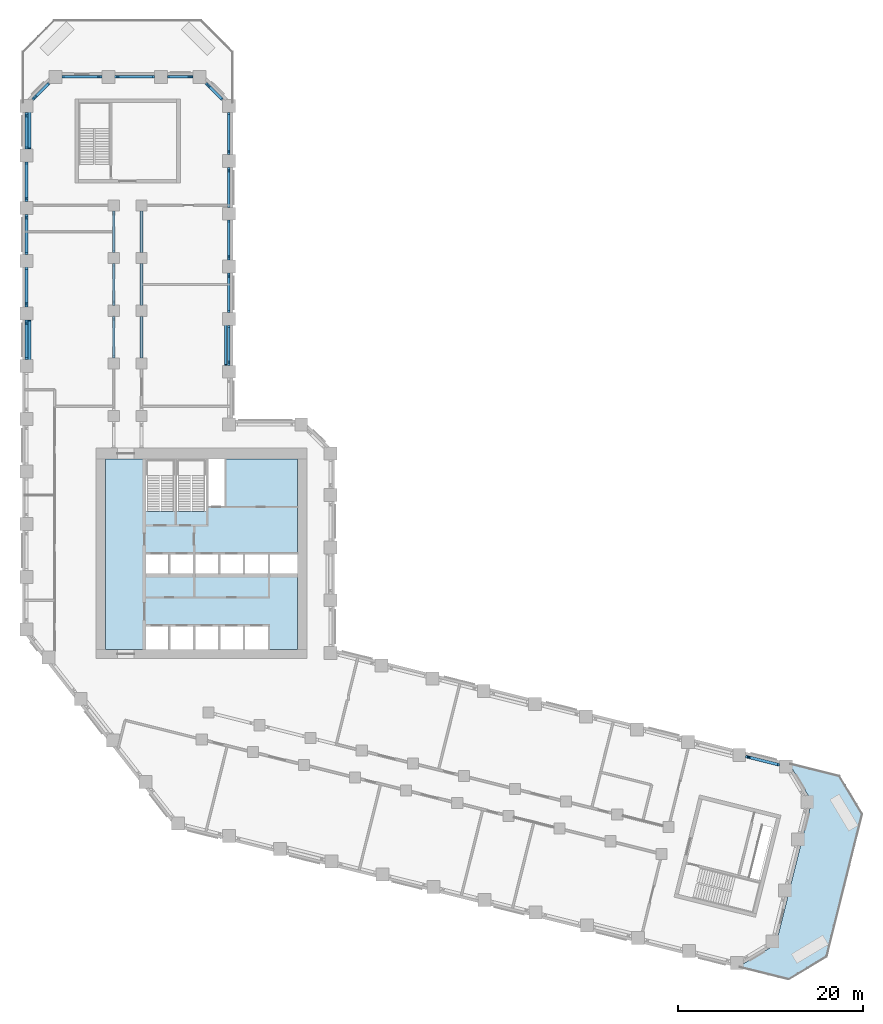
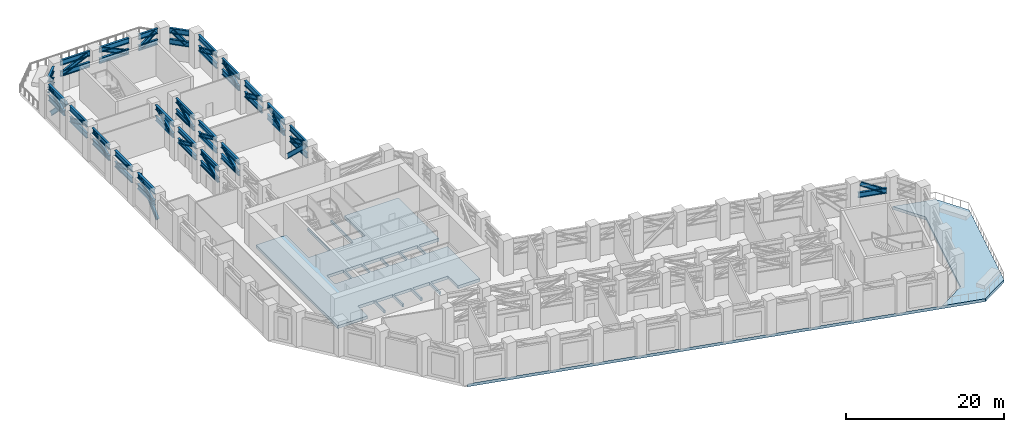
# One storey, part 4 of 14: 43 beams, 25 members, 2 slabs.
"""IFC4 building model written with IfcOpenShell, lengths in metres."""

from ifc_helpers import new_model, si_unit, direction, frame, origin, origin_2d, place, context, subcontext, project, spatial, polyline, i_section, outline, extrude, material, layer, layer_set, material_profile, profile_set, type_object, element, save


model = new_model("IFC4")

# Units and contexts
model_context = context("Model", 3, precision=1e-05, world=origin(), true_north=direction((0.0, 1.0)))
body_context = subcontext(model_context, "Body", "Model", "MODEL_VIEW")
ifc_project = project(units=[si_unit("LENGTHUNIT", "METRE"), si_unit("AREAUNIT", "SQUARE_METRE"), si_unit("VOLUMEUNIT", "CUBIC_METRE"), si_unit("PLANEANGLEUNIT", "RADIAN"), si_unit("MASSUNIT", "GRAM", prefix="KILO")], contexts=[model_context])

# Site, building, storey
site_placement = place(None, origin())
site = spatial("IfcSite", under=ifc_project, at=site_placement, CompositionType="ELEMENT")
building_placement = place(site_placement, origin())
building = spatial("IfcBuilding", under=site, at=building_placement, Name="Meshkara Civic Tower", CompositionType="ELEMENT")
storey_placement = place(building_placement, frame((0.0, 0.0, 91.800048828125)))
storey = spatial("IfcBuildingStorey", under=building, at=storey_placement, Name="L20", CompositionType="ELEMENT", Elevation=91.800048828125)

# Beams
ifc_material_1 = material(Name="Steel S355", Category="steel")
ifc_material_profile_1 = material_profile(ifc_material_1, i_section(OverallWidth=0.302978515625, OverallDepth=0.81396484375, WebThickness=0.02099609375, FlangeThickness=0.0400390625, FilletRadius=0.030029296875, at=origin_2d()))
ifc_profile_set_1 = profile_set([ifc_material_profile_1], Name="Steel S355")
beam_type_1 = type_object("IfcBeamType", Name="Belt truss chord HEM 800 S355", PredefinedType="BEAM", material=ifc_profile_set_1)
for number, where, z_axis, x_axis, name in (
    (1, (22.35009765625, 45.844970703125, 4.69287109375), (0.0, 1.0, 0.0), (-1.0, 0.0, 0.0), "Belt truss chord BAE01-AE02"),
    (2, (22.35009765625, 45.844970703125, 2.992919921875), (0.0, 1.0, 0.0), (-1.0, 0.0, 0.0), "Belt truss chord BAE01-AE02"),
    (3, (22.35009765625, 51.544921875, 4.69287109375), (0.0, 1.0, 0.0), (-1.0, 0.0, 0.0), "Belt truss chord BAE02-AE03"),
    (4, (22.35009765625, 51.544921875, 2.992919921875), (0.0, 1.0, 0.0), (-1.0, 0.0, 0.0), "Belt truss chord BAE02-AE03"),
):
    element("IfcBeam", number, at=place(storey_placement, frame(where, z_axis=z_axis, x_axis=x_axis)), inside=storey, type_object=beam_type_1, Name=name, PredefinedType="BEAM", context=body_context, shape_type="SweptSolid", body=[
        extrude(i_section(OverallWidth=0.302978515625, OverallDepth=0.81396484375, WebThickness=0.02099609375, FlangeThickness=0.0400390625, FilletRadius=0.030029296875, at=origin_2d()), origin(), (0.0, 0.0, 1.0), 4.31005859375),
    ])
for number, where, z_axis, x_axis, name in (
    (5, (22.35009765625, 57.2451171875, 4.69287109375), (0.0, 1.0, 0.0), (-1.0, 0.0, 0.0), "Belt truss chord BAE03-AE04"),
    (6, (22.35009765625, 57.2451171875, 2.992919921875), (0.0, 1.0, 0.0), (-1.0, 0.0, 0.0), "Belt truss chord BAE03-AE04"),
    (7, (22.35009765625, 62.945068359375, 4.69287109375), (0.0, 1.0, 0.0), (-1.0, 0.0, 0.0), "Belt truss chord BAE04-AE05"),
    (8, (22.35009765625, 62.945068359375, 2.992919921875), (0.0, 1.0, 0.0), (-1.0, 0.0, 0.0), "Belt truss chord BAE04-AE05"),
):
    element("IfcBeam", number, at=place(storey_placement, frame(where, z_axis=z_axis, x_axis=x_axis)), inside=storey, type_object=beam_type_1, Name=name, PredefinedType="BEAM", context=body_context, shape_type="SweptSolid", body=[
        extrude(i_section(OverallWidth=0.302978515625, OverallDepth=0.81396484375, WebThickness=0.02099609375, FlangeThickness=0.0400390625, FilletRadius=0.030029296875, at=origin_2d()), origin(), (0.0, 0.0, 1.0), 4.309814453125),
    ])
for number, where, z_axis, x_axis, name in (
    (9, (22.35009765625, 68.64501953125, 4.69287109375), (0.0, 1.0, 0.0), (-1.0, 0.0, 0.0), "Belt truss chord BAE05-AEEP1"),
    (10, (22.35009765625, 68.64501953125, 2.992919921875), (0.0, 1.0, 0.0), (-1.0, 0.0, 0.0), "Belt truss chord BAE05-AEEP1"),
):
    element("IfcBeam", number, at=place(storey_placement, frame(where, z_axis=z_axis, x_axis=x_axis)), inside=storey, type_object=beam_type_1, Name=name, PredefinedType="BEAM", context=body_context, shape_type="SweptSolid", body=[
        extrude(i_section(OverallWidth=0.302978515625, OverallDepth=0.81396484375, WebThickness=0.02099609375, FlangeThickness=0.0400390625, FilletRadius=0.030029296875, at=origin_2d()), origin(), (0.0, 0.0, 1.0), 4.573974609375),
    ])
for number, where, z_axis, x_axis, name in (
    (11, (21.653564453125, 74.610595703125, 4.69287109375), (-0.707155737934, 0.70705782105, 0.0), (-0.70705782105, -0.707155737934, 0.0), "Belt truss chord BAEEP1-ATiEP1"),
    (12, (21.653564453125, 74.610595703125, 2.992919921875), (-0.707155737934, 0.70705782105, 0.0), (-0.70705782105, -0.707155737934, 0.0), "Belt truss chord BAEEP1-ATiEP1"),
):
    element("IfcBeam", number, at=place(storey_placement, frame(where, z_axis=z_axis, x_axis=x_axis)), inside=storey, type_object=beam_type_1, Name=name, PredefinedType="BEAM", context=body_context, shape_type="SweptSolid", body=[
        extrude(i_section(OverallWidth=0.302978515625, OverallDepth=0.81396484375, WebThickness=0.02099609375, FlangeThickness=0.0400390625, FilletRadius=0.030029296875, at=origin_2d()), origin(), (0.0, 0.0, 1.0), 2.493408203125),
    ])
for number, where, z_axis, x_axis, name in (
    (13, (18.4990234375, 77.070068359375, 4.69287109375), (-1.0, 0.0, 0.0), (0.0, -1.0, 0.0), "Belt truss chord BATiEP1-AT02-P1"),
    (14, (18.4990234375, 77.070068359375, 2.992919921875), (-1.0, 0.0, 0.0), (0.0, -1.0, 0.0), "Belt truss chord BATiEP1-AT02-P1"),
):
    element("IfcBeam", number, at=place(storey_placement, frame(where, z_axis=z_axis, x_axis=x_axis)), inside=storey, type_object=beam_type_1, Name=name, PredefinedType="BEAM", context=body_context, shape_type="SweptSolid", body=[
        extrude(i_section(OverallWidth=0.302978515625, OverallDepth=0.81396484375, WebThickness=0.02099609375, FlangeThickness=0.0400390625, FilletRadius=0.030029296875, at=origin_2d()), origin(), (0.0, 0.0, 1.0), 2.798095703125),
    ])
for number, where, z_axis, x_axis, name in (
    (15, (14.31103515625, 77.070068359375, 4.69287109375), (-1.0, 0.0, 0.0), (0.0, -1.0, 0.0), "Belt truss chord BAT02-P1-AT01-P1"),
    (16, (14.31103515625, 77.070068359375, 2.992919921875), (-1.0, 0.0, 0.0), (0.0, -1.0, 0.0), "Belt truss chord BAT02-P1-AT01-P1"),
    (17, (8.611083984375, 77.070068359375, 4.69287109375), (-1.0, 0.0, 0.0), (0.0, -1.0, 0.0), "Belt truss chord BAT01-P1-AT00-P1"),
    (18, (8.611083984375, 77.070068359375, 2.992919921875), (-1.0, 0.0, 0.0), (0.0, -1.0, 0.0), "Belt truss chord BAT01-P1-AT00-P1"),
):
    element("IfcBeam", number, at=place(storey_placement, frame(where, z_axis=z_axis, x_axis=x_axis)), inside=storey, type_object=beam_type_1, Name=name, PredefinedType="BEAM", context=body_context, shape_type="SweptSolid", body=[
        extrude(i_section(OverallWidth=0.302978515625, OverallDepth=0.81396484375, WebThickness=0.02099609375, FlangeThickness=0.0400390625, FilletRadius=0.030029296875, at=origin_2d()), origin(), (0.0, 0.0, 1.0), 4.31005859375),
    ])
for number, where, z_axis, x_axis, name in (
    (19, (2.909423828125, 76.37353515625, 4.69287109375), (-0.707106781187, -0.707106781187, 0.0), (0.707106781187, -0.707106781187, 0.0), "Belt truss chord BAT00-P1-ATo00-P1"),
    (20, (2.909423828125, 76.37353515625, 2.992919921875), (-0.707106781187, -0.707106781187, 0.0), (0.707106781187, -0.707106781187, 0.0), "Belt truss chord BAT00-P1-ATo00-P1"),
):
    element("IfcBeam", number, at=place(storey_placement, frame(where, z_axis=z_axis, x_axis=x_axis)), inside=storey, type_object=beam_type_1, Name=name, PredefinedType="BEAM", context=body_context, shape_type="SweptSolid", body=[
        extrude(i_section(OverallWidth=0.302978515625, OverallDepth=0.81396484375, WebThickness=0.02099609375, FlangeThickness=0.0400390625, FilletRadius=0.030029296875, at=origin_2d()), origin(), (0.0, 0.0, 1.0), 2.4931640625),
    ])
for number, where, z_axis, x_axis, name in (
    (21, (0.449951171875, 73.218994140625, 4.69287109375), (0.0, -1.0, 0.0), (1.0, 0.0, 0.0), "Belt truss chord BATo00-P1-AW09"),
    (22, (0.449951171875, 73.218994140625, 2.992919921875), (0.0, -1.0, 0.0), (1.0, 0.0, 0.0), "Belt truss chord BATo00-P1-AW09"),
):
    element("IfcBeam", number, at=place(storey_placement, frame(where, z_axis=z_axis, x_axis=x_axis)), inside=storey, type_object=beam_type_1, Name=name, PredefinedType="BEAM", context=body_context, shape_type="SweptSolid", body=[
        extrude(i_section(OverallWidth=0.302978515625, OverallDepth=0.81396484375, WebThickness=0.02099609375, FlangeThickness=0.0400390625, FilletRadius=0.030029296875, at=origin_2d()), origin(), (0.0, 0.0, 1.0), 3.968994140625),
    ])
for number, where, z_axis, x_axis, name in (
    (23, (0.449951171875, 67.860107421875, 4.69287109375), (0.0, -1.0, 0.0), (1.0, 0.0, 0.0), "Belt truss chord BAW09-AW08"),
    (24, (0.449951171875, 67.860107421875, 2.992919921875), (0.0, -1.0, 0.0), (1.0, 0.0, 0.0), "Belt truss chord BAW09-AW08"),
):
    element("IfcBeam", number, at=place(storey_placement, frame(where, z_axis=z_axis, x_axis=x_axis)), inside=storey, type_object=beam_type_1, Name=name, PredefinedType="BEAM", context=body_context, shape_type="SweptSolid", body=[
        extrude(i_section(OverallWidth=0.302978515625, OverallDepth=0.81396484375, WebThickness=0.02099609375, FlangeThickness=0.0400390625, FilletRadius=0.030029296875, at=origin_2d()), origin(), (0.0, 0.0, 1.0), 4.31005859375),
    ])
for number, where, z_axis, x_axis, name in (
    (25, (0.449951171875, 62.159912109375, 4.69287109375), (0.0, -1.0, 0.0), (1.0, 0.0, 0.0), "Belt truss chord BAW08-AW07"),
    (26, (0.449951171875, 62.159912109375, 2.992919921875), (0.0, -1.0, 0.0), (1.0, 0.0, 0.0), "Belt truss chord BAW08-AW07"),
):
    element("IfcBeam", number, at=place(storey_placement, frame(where, z_axis=z_axis, x_axis=x_axis)), inside=storey, type_object=beam_type_1, Name=name, PredefinedType="BEAM", context=body_context, shape_type="SweptSolid", body=[
        extrude(i_section(OverallWidth=0.302978515625, OverallDepth=0.81396484375, WebThickness=0.02099609375, FlangeThickness=0.0400390625, FilletRadius=0.030029296875, at=origin_2d()), origin(), (0.0, 0.0, 1.0), 4.309814453125),
    ])
for number, where, z_axis, x_axis, name in (
    (27, (0.449951171875, 56.4599609375, 4.69287109375), (0.0, -1.0, 0.0), (1.0, 0.0, 0.0), "Belt truss chord BAW07-AW06"),
    (28, (0.449951171875, 56.4599609375, 2.992919921875), (0.0, -1.0, 0.0), (1.0, 0.0, 0.0), "Belt truss chord BAW07-AW06"),
    (29, (0.449951171875, 50.760009765625, 4.69287109375), (0.0, -1.0, 0.0), (1.0, 0.0, 0.0), "Belt truss chord BAW06-AW05"),
    (30, (0.449951171875, 50.760009765625, 2.992919921875), (0.0, -1.0, 0.0), (1.0, 0.0, 0.0), "Belt truss chord BAW06-AW05"),
):
    element("IfcBeam", number, at=place(storey_placement, frame(where, z_axis=z_axis, x_axis=x_axis)), inside=storey, type_object=beam_type_1, Name=name, PredefinedType="BEAM", context=body_context, shape_type="SweptSolid", body=[
        extrude(i_section(OverallWidth=0.302978515625, OverallDepth=0.81396484375, WebThickness=0.02099609375, FlangeThickness=0.0400390625, FilletRadius=0.030029296875, at=origin_2d()), origin(), (0.0, 0.0, 1.0), 4.31005859375),
    ])
beam_placement = place(storey_placement, frame((81.9599609375, 2.598388671875, 2.992919921875), z_axis=(-0.970279035041, 0.241988830652, 0.0), x_axis=(-0.241988830652, -0.970279035041, 0.0)))
element("IfcBeam", 31, at=beam_placement, inside=storey, type_object=beam_type_1, Name="Belt truss chord BBTi00-P1-BN08", PredefinedType="BEAM", context=body_context, shape_type="SweptSolid", body=[
    extrude(i_section(OverallWidth=0.302978515625, OverallDepth=0.81396484375, WebThickness=0.02099609375, FlangeThickness=0.0400390625, FilletRadius=0.030029296875, at=origin_2d()), origin(), (0.0, 0.0, 1.0), 3.7822265625),
])
ifc_material_2 = material(Name="Steel S355", Category="steel")
ifc_material_profile_2 = material_profile(ifc_material_2, i_section(OverallWidth=0.303955078125, OverallDepth=0.716064453125, WebThickness=0.02099609375, FlangeThickness=0.0400390625, FilletRadius=0.027099609375, at=origin_2d()))
ifc_profile_set_2 = profile_set([ifc_material_profile_2], Name="Steel S355")
beam_type_2 = type_object("IfcBeamType", Name="Outrigger chord HEM 700 S355", PredefinedType="BEAM", material=ifc_profile_set_2)
for number, where, z_axis, x_axis, name in (
    (32, (9.89990234375, 46.64501953125, 4.741943359375), (0.0, 1.0, 0.0), (-1.0, 0.0, 0.0), "Outrigger chord OSA1-SA1-05-SA1-06"),
    (33, (9.89990234375, 46.64501953125, 3.0419921875), (0.0, 1.0, 0.0), (-1.0, 0.0, 0.0), "Outrigger chord OSA1-SA1-05-SA1-06"),
    (34, (9.89990234375, 52.344970703125, 4.741943359375), (0.0, 1.0, 0.0), (-1.0, 0.0, 0.0), "Outrigger chord OSA1-SA1-06-SA1-07"),
    (35, (9.89990234375, 52.344970703125, 3.0419921875), (0.0, 1.0, 0.0), (-1.0, 0.0, 0.0), "Outrigger chord OSA1-SA1-06-SA1-07"),
    (36, (9.89990234375, 58.044921875, 4.741943359375), (0.0, 1.0, 0.0), (-1.0, 0.0, 0.0), "Outrigger chord OSA1-SA1-07-SA1-08"),
    (37, (9.89990234375, 58.044921875, 3.0419921875), (0.0, 1.0, 0.0), (-1.0, 0.0, 0.0), "Outrigger chord OSA1-SA1-07-SA1-08"),
    (38, (12.89990234375, 46.64501953125, 4.741943359375), (0.0, 1.0, 0.0), (-1.0, 0.0, 0.0), "Outrigger chord OSA2-SA2-05-SA2-06"),
    (39, (12.89990234375, 46.64501953125, 3.0419921875), (0.0, 1.0, 0.0), (-1.0, 0.0, 0.0), "Outrigger chord OSA2-SA2-05-SA2-06"),
    (40, (12.89990234375, 52.344970703125, 4.741943359375), (0.0, 1.0, 0.0), (-1.0, 0.0, 0.0), "Outrigger chord OSA2-SA2-06-SA2-07"),
    (41, (12.89990234375, 52.344970703125, 3.0419921875), (0.0, 1.0, 0.0), (-1.0, 0.0, 0.0), "Outrigger chord OSA2-SA2-06-SA2-07"),
    (42, (12.89990234375, 58.044921875, 4.741943359375), (0.0, 1.0, 0.0), (-1.0, 0.0, 0.0), "Outrigger chord OSA2-SA2-07-SA2-08"),
    (43, (12.89990234375, 58.044921875, 3.0419921875), (0.0, 1.0, 0.0), (-1.0, 0.0, 0.0), "Outrigger chord OSA2-SA2-07-SA2-08"),
):
    element("IfcBeam", number, at=place(storey_placement, frame(where, z_axis=z_axis, x_axis=x_axis)), inside=storey, type_object=beam_type_2, Name=name, PredefinedType="BEAM", context=body_context, shape_type="SweptSolid", body=[
        extrude(i_section(OverallWidth=0.303955078125, OverallDepth=0.716064453125, WebThickness=0.02099609375, FlangeThickness=0.0400390625, FilletRadius=0.027099609375, at=origin_2d()), origin(), (0.0, 0.0, 1.0), 4.510009765625),
    ])

# Members
ifc_material_3 = material(Name="Steel S355", Category="steel")
ifc_material_profile_3 = material_profile(ifc_material_3, i_section(OverallWidth=0.305908203125, OverallDepth=0.52392578125, WebThickness=0.02392578125, FlangeThickness=0.0400390625, FilletRadius=0.027099609375, at=origin_2d()))
ifc_profile_set_3 = profile_set([ifc_material_profile_3], Name="Steel S355")
member_type_1 = type_object("IfcMemberType", Name="Truss diagonal HEM 500 S355", PredefinedType="BRACE", material=ifc_profile_set_3)
for number, where, z_axis, x_axis, name in (
    (44, (9.89990234375, 46.9951171875, 3.0419921875), (0.0, 0.913214498615, 0.407479176793), (-1.0, 0.0, 0.0), "TD-OSA1-SA1-05-SA1-06-L20"),
    (45, (9.89990234375, 52.695068359375, 4.741943359375), (0.0, 0.913214498615, -0.407479176793), (-1.0, 0.0, 0.0), "TD-OSA1-SA1-06-SA1-07-L20"),
):
    element("IfcMember", number, at=place(storey_placement, frame(where, z_axis=z_axis, x_axis=x_axis)), inside=storey, type_object=member_type_1, Name=name, PredefinedType="BRACE", context=body_context, shape_type="SweptSolid", body=[
        extrude(i_section(OverallWidth=0.305908203125, OverallDepth=0.52392578125, WebThickness=0.02392578125, FlangeThickness=0.0400390625, FilletRadius=0.027099609375, at=origin_2d()), origin(), (0.0, 0.0, 1.0), 4.171875),
    ])
member_1_placement = place(storey_placement, frame((9.89990234375, 58.39501953125, 3.0419921875), z_axis=(0.0, 0.91322421456, 0.407457401383), x_axis=(-1.0, 0.0, 0.0)))
element("IfcMember", 46, at=member_1_placement, inside=storey, type_object=member_type_1, Name="TD-OSA1-SA1-07-SA1-08-L20", PredefinedType="BRACE", context=body_context, shape_type="SweptSolid", body=[
    extrude(i_section(OverallWidth=0.305908203125, OverallDepth=0.52392578125, WebThickness=0.02392578125, FlangeThickness=0.0400390625, FilletRadius=0.027099609375, at=origin_2d()), origin(), (0.0, 0.0, 1.0), 4.172119140625),
])
for number, where, z_axis, x_axis, name in (
    (47, (12.89990234375, 46.9951171875, 3.0419921875), (0.0, 0.913214498615, 0.407479176793), (-1.0, 0.0, 0.0), "TD-OSA2-SA2-05-SA2-06-L20"),
    (48, (12.89990234375, 52.695068359375, 4.741943359375), (0.0, 0.913214498615, -0.407479176793), (-1.0, 0.0, 0.0), "TD-OSA2-SA2-06-SA2-07-L20"),
):
    element("IfcMember", number, at=place(storey_placement, frame(where, z_axis=z_axis, x_axis=x_axis)), inside=storey, type_object=member_type_1, Name=name, PredefinedType="BRACE", context=body_context, shape_type="SweptSolid", body=[
        extrude(i_section(OverallWidth=0.305908203125, OverallDepth=0.52392578125, WebThickness=0.02392578125, FlangeThickness=0.0400390625, FilletRadius=0.027099609375, at=origin_2d()), origin(), (0.0, 0.0, 1.0), 4.171875),
    ])
member_2_placement = place(storey_placement, frame((12.89990234375, 58.39501953125, 3.0419921875), z_axis=(0.0, 0.91322421456, 0.407457401383), x_axis=(-1.0, 0.0, 0.0)))
element("IfcMember", 49, at=member_2_placement, inside=storey, type_object=member_type_1, Name="TD-OSA2-SA2-07-SA2-08-L20", PredefinedType="BRACE", context=body_context, shape_type="SweptSolid", body=[
    extrude(i_section(OverallWidth=0.305908203125, OverallDepth=0.52392578125, WebThickness=0.02392578125, FlangeThickness=0.0400390625, FilletRadius=0.027099609375, at=origin_2d()), origin(), (0.0, 0.0, 1.0), 4.172119140625),
])
ifc_material_4 = material(Name="Steel S355", Category="steel")
ifc_material_profile_4 = material_profile(ifc_material_4, i_section(OverallWidth=0.304931640625, OverallDepth=0.6201171875, WebThickness=0.02099609375, FlangeThickness=0.0400390625, FilletRadius=0.027099609375, at=origin_2d()))
ifc_profile_set_4 = profile_set([ifc_material_profile_4], Name="Steel S355")
member_type_2 = type_object("IfcMemberType", Name="Truss diagonal HEM 600 S355", PredefinedType="BRACE", material=ifc_profile_set_4)
for number, where, z_axis, x_axis, name in (
    (50, (22.35009765625, 46.195068359375, 4.69287109375), (0.0, 0.904703576129, -0.426041593439), (-1.0, 0.0, 0.0), "TD-BAE01-AE02-L20"),
    (51, (22.35009765625, 51.89501953125, 2.992919921875), (0.0, 0.904703576129, 0.426041593439), (-1.0, 0.0, 0.0), "TD-BAE02-AE03-L20"),
):
    element("IfcMember", number, at=place(storey_placement, frame(where, z_axis=z_axis, x_axis=x_axis)), inside=storey, type_object=member_type_2, Name=name, PredefinedType="BRACE", context=body_context, shape_type="SweptSolid", body=[
        extrude(i_section(OverallWidth=0.304931640625, OverallDepth=0.6201171875, WebThickness=0.02099609375, FlangeThickness=0.0400390625, FilletRadius=0.027099609375, at=origin_2d()), origin(), (0.0, 0.0, 1.0), 3.989990234375),
    ])
for number, where, z_axis, x_axis, name in (
    (52, (22.35009765625, 57.594970703125, 4.69287109375), (0.0, 0.904714681256, -0.426018010792), (-1.0, 0.0, 0.0), "TD-BAE03-AE04-L20"),
    (53, (22.35009765625, 63.294921875, 2.992919921875), (0.0, 0.904714681256, 0.426018010792), (-1.0, 0.0, 0.0), "TD-BAE04-AE05-L20"),
):
    element("IfcMember", number, at=place(storey_placement, frame(where, z_axis=z_axis, x_axis=x_axis)), inside=storey, type_object=member_type_2, Name=name, PredefinedType="BRACE", context=body_context, shape_type="SweptSolid", body=[
        extrude(i_section(OverallWidth=0.304931640625, OverallDepth=0.6201171875, WebThickness=0.02099609375, FlangeThickness=0.0400390625, FilletRadius=0.027099609375, at=origin_2d()), origin(), (0.0, 0.0, 1.0), 3.990234375),
    ])
member_3_placement = place(storey_placement, frame((22.35009765625, 68.9951171875, 4.69287109375), z_axis=(0.0, 0.915707745954, -0.401844900427), x_axis=(-1.0, 0.0, 0.0)))
element("IfcMember", 54, at=member_3_placement, inside=storey, type_object=member_type_2, Name="TD-BAE05-AEEP1-L20", PredefinedType="BRACE", context=body_context, shape_type="SweptSolid", body=[
    extrude(i_section(OverallWidth=0.304931640625, OverallDepth=0.6201171875, WebThickness=0.02099609375, FlangeThickness=0.0400390625, FilletRadius=0.027099609375, at=origin_2d()), origin(), (0.0, 0.0, 1.0), 4.23046875),
])
member_4_placement = place(storey_placement, frame((21.406005859375, 74.85791015625, 2.992919921875), z_axis=(-0.513180376639, 0.513180376639, 0.687962064408), x_axis=(-0.707106781187, -0.707106781187, 0.0)))
element("IfcMember", 55, at=member_4_placement, inside=storey, type_object=member_type_2, Name="TD-BAEEP1-ATiEP1-L20", PredefinedType="BRACE", context=body_context, shape_type="SweptSolid", body=[
    extrude(i_section(OverallWidth=0.304931640625, OverallDepth=0.6201171875, WebThickness=0.02099609375, FlangeThickness=0.0400390625, FilletRadius=0.027099609375, at=origin_2d()), origin(), (0.0, 0.0, 1.0), 2.470947265625),
])
member_5_placement = place(storey_placement, frame((18.14892578125, 77.070068359375, 4.69287109375), z_axis=(-0.77694579044, 0.0, -0.629567501319), x_axis=(0.0, -1.0, 0.0)))
element("IfcMember", 56, at=member_5_placement, inside=storey, type_object=member_type_2, Name="TD-BATiEP1-AT02-P1-L20", PredefinedType="BRACE", context=body_context, shape_type="SweptSolid", body=[
    extrude(i_section(OverallWidth=0.304931640625, OverallDepth=0.6201171875, WebThickness=0.02099609375, FlangeThickness=0.0400390625, FilletRadius=0.027099609375, at=origin_2d()), origin(), (0.0, 0.0, 1.0), 2.7001953125),
])
member_6_placement = place(storey_placement, frame((13.9609375, 77.070068359375, 2.992919921875), z_axis=(-0.904703576129, 0.0, 0.426041593439), x_axis=(0.0, -1.0, 0.0)))
element("IfcMember", 57, at=member_6_placement, inside=storey, type_object=member_type_2, Name="TD-BAT02-P1-AT01-P1-L20", PredefinedType="BRACE", context=body_context, shape_type="SweptSolid", body=[
    extrude(i_section(OverallWidth=0.304931640625, OverallDepth=0.6201171875, WebThickness=0.02099609375, FlangeThickness=0.0400390625, FilletRadius=0.027099609375, at=origin_2d()), origin(), (0.0, 0.0, 1.0), 3.989990234375),
])
member_7_placement = place(storey_placement, frame((8.260986328125, 77.070068359375, 4.69287109375), z_axis=(-0.904714681256, 0.0, -0.426018010792), x_axis=(0.0, -1.0, 0.0)))
element("IfcMember", 58, at=member_7_placement, inside=storey, type_object=member_type_2, Name="TD-BAT01-P1-AT00-P1-L20", PredefinedType="BRACE", context=body_context, shape_type="SweptSolid", body=[
    extrude(i_section(OverallWidth=0.304931640625, OverallDepth=0.6201171875, WebThickness=0.02099609375, FlangeThickness=0.0400390625, FilletRadius=0.027099609375, at=origin_2d()), origin(), (0.0, 0.0, 1.0), 3.990234375),
])
member_8_placement = place(storey_placement, frame((2.662109375, 76.1259765625, 2.992919921875), z_axis=(-0.513180376639, -0.513180376639, 0.687962064408), x_axis=(0.707106781187, -0.707106781187, 0.0)))
element("IfcMember", 59, at=member_8_placement, inside=storey, type_object=member_type_2, Name="TD-BAT00-P1-ATo00-P1-L20", PredefinedType="BRACE", context=body_context, shape_type="SweptSolid", body=[
    extrude(i_section(OverallWidth=0.304931640625, OverallDepth=0.6201171875, WebThickness=0.02099609375, FlangeThickness=0.0400390625, FilletRadius=0.027099609375, at=origin_2d()), origin(), (0.0, 0.0, 1.0), 2.470947265625),
])
member_9_placement = place(storey_placement, frame((0.449951171875, 72.868896484375, 4.69287109375), z_axis=(0.0, -0.887197272006, -0.461390290909), x_axis=(1.0, 0.0, 0.0)))
element("IfcMember", 60, at=member_9_placement, inside=storey, type_object=member_type_2, Name="TD-BATo00-P1-AW09-L20", PredefinedType="BRACE", context=body_context, shape_type="SweptSolid", body=[
    extrude(i_section(OverallWidth=0.304931640625, OverallDepth=0.6201171875, WebThickness=0.02099609375, FlangeThickness=0.0400390625, FilletRadius=0.027099609375, at=origin_2d()), origin(), (0.0, 0.0, 1.0), 3.684326171875),
])
for number, where, z_axis, x_axis, name in (
    (61, (0.449951171875, 67.510009765625, 2.992919921875), (0.0, -0.904714681256, 0.426018010792), (1.0, 0.0, 0.0), "TD-BAW09-AW08-L20"),
    (62, (0.449951171875, 61.81005859375, 4.69287109375), (0.0, -0.904714681256, -0.426018010792), (1.0, 0.0, 0.0), "TD-BAW08-AW07-L20"),
    (63, (0.449951171875, 56.110107421875, 2.992919921875), (0.0, -0.904714681256, 0.426018010792), (1.0, 0.0, 0.0), "TD-BAW07-AW06-L20"),
):
    element("IfcMember", number, at=place(storey_placement, frame(where, z_axis=z_axis, x_axis=x_axis)), inside=storey, type_object=member_type_2, Name=name, PredefinedType="BRACE", context=body_context, shape_type="SweptSolid", body=[
        extrude(i_section(OverallWidth=0.304931640625, OverallDepth=0.6201171875, WebThickness=0.02099609375, FlangeThickness=0.0400390625, FilletRadius=0.027099609375, at=origin_2d()), origin(), (0.0, 0.0, 1.0), 3.990234375),
    ])
member_10_placement = place(storey_placement, frame((0.449951171875, 50.409912109375, 4.69287109375), z_axis=(0.0, -0.904703576129, -0.426041593439), x_axis=(1.0, 0.0, 0.0)))
element("IfcMember", 64, at=member_10_placement, inside=storey, type_object=member_type_2, Name="TD-BAW06-AW05-L20", PredefinedType="BRACE", context=body_context, shape_type="SweptSolid", body=[
    extrude(i_section(OverallWidth=0.304931640625, OverallDepth=0.6201171875, WebThickness=0.02099609375, FlangeThickness=0.0400390625, FilletRadius=0.027099609375, at=origin_2d()), origin(), (0.0, 0.0, 1.0), 3.989990234375),
])
member_11_placement = place(storey_placement, frame((81.620361328125, 2.68310546875, 2.992919921875), z_axis=(-0.849632056532, 0.211887831241, 0.482937796704), x_axis=(-0.241976478618, -0.97028211557, 0.0)))
element("IfcMember", 65, at=member_11_placement, inside=storey, type_object=member_type_2, Name="TD-BBTi00-P1-BN08-L20", PredefinedType="BRACE", context=body_context, shape_type="SweptSolid", body=[
    extrude(i_section(OverallWidth=0.304931640625, OverallDepth=0.6201171875, WebThickness=0.02099609375, FlangeThickness=0.0400390625, FilletRadius=0.027099609375, at=origin_2d()), origin(), (0.0, 0.0, 1.0), 3.52001953125),
])
member_12_placement = place(storey_placement, frame((22.010009765625, 45.72998046875, 4.64990234375), z_axis=(0.0, 0.726035779451, -0.687656925332), x_axis=(-1.0, 0.0, 0.0)))
element("IfcMember", 66, at=member_12_placement, inside=storey, type_object=member_type_2, Name="TD-XAE01-AE02-L20", PredefinedType="BRACE", context=body_context, shape_type="SweptSolid", body=[
    extrude(i_section(OverallWidth=0.304931640625, OverallDepth=0.6201171875, WebThickness=0.02099609375, FlangeThickness=0.0400390625, FilletRadius=0.027099609375, at=origin_2d()), origin(), (0.0, 0.0, 1.0), 6.253173828125),
])
member_13_placement = place(storey_placement, frame((0.7900390625, 73.333984375, 0.349853515625), z_axis=(0.0, -0.698648145233, 0.715465421361), x_axis=(1.0, 0.0, 0.0)))
element("IfcMember", 67, at=member_13_placement, inside=storey, type_object=member_type_2, Name="TD-XATo00-P1-AW09-L20", PredefinedType="BRACE", context=body_context, shape_type="SweptSolid", body=[
    extrude(i_section(OverallWidth=0.304931640625, OverallDepth=0.6201171875, WebThickness=0.02099609375, FlangeThickness=0.0400390625, FilletRadius=0.027099609375, at=origin_2d()), origin(), (0.0, 0.0, 1.0), 6.01025390625),
])
member_14_placement = place(storey_placement, frame((0.7900390625, 50.875, 4.64990234375), z_axis=(0.0, -0.726035779451, -0.687656925332), x_axis=(1.0, 0.0, 0.0)))
element("IfcMember", 68, at=member_14_placement, inside=storey, type_object=member_type_2, Name="TD-XAW06-AW05-L20", PredefinedType="BRACE", context=body_context, shape_type="SweptSolid", body=[
    extrude(i_section(OverallWidth=0.304931640625, OverallDepth=0.6201171875, WebThickness=0.02099609375, FlangeThickness=0.0400390625, FilletRadius=0.027099609375, at=origin_2d()), origin(), (0.0, 0.0, 1.0), 6.253173828125),
])

# Slabs
ifc_material_5 = material(Name="Concrete C40/50", Category="concrete")
ifc_layer_1 = layer(ifc_material_5, 0.449951171875)
ifc_layer_set_1 = layer_set([ifc_layer_1], Name="Core floor slab 450 C40/50")
slab_type_1 = type_object("IfcSlabType", Name="Core floor slab 450 C40/50", PredefinedType="FLOOR", material=ifc_layer_set_1)
slab_1_placement = place(storey_placement, frame((0.0, 0.0, -0.449951171875)))
element("IfcSlab", 69, at=slab_1_placement, inside=storey, type_object=slab_type_1, Name="Core floor K", PredefinedType="FLOOR", context=body_context, shape_type="SweptSolid", body=[
    extrude(outline(polyline([(9.0, 35.699951171875), (13.39990234375, 35.699951171875), (13.39990234375, 30.00146484375), (16.5, 30.00146484375), (16.5, 35.699951171875), (16.699951171875, 35.699951171875), (16.699951171875, 30.00146484375), (19.89990234375, 30.00146484375), (19.89990234375, 35.699951171875), (20.10009765625, 35.699951171875), (20.10009765625, 30.574951171875), (21.925048828125, 30.574951171875), (21.925048828125, 35.699951171875), (29.800048828125, 35.699951171875), (29.800048828125, 25.39990234375), (26.800048828125, 25.39990234375), (26.800048828125, 23.300048828125), (29.800048828125, 23.300048828125), (29.800048828125, 15.10009765625), (26.60009765625, 15.10009765625), (26.60009765625, 17.60009765625), (24.10009765625, 17.60009765625), (24.10009765625, 15.10009765625), (23.89990234375, 15.10009765625), (23.89990234375, 17.60009765625), (21.39990234375, 17.60009765625), (21.39990234375, 15.10009765625), (21.199951171875, 15.10009765625), (21.199951171875, 17.60009765625), (18.699951171875, 17.60009765625), (18.699951171875, 15.10009765625), (18.5, 15.10009765625), (18.5, 17.60009765625), (16.0, 17.60009765625), (16.0, 15.10009765625), (15.800048828125, 15.10009765625), (15.800048828125, 17.60009765625), (13.39990234375, 17.60009765625), (13.39990234375, 15.10009765625), (9.0, 15.10009765625), (9.0, 35.699951171875)]), holes=[polyline([(13.39990234375, 25.39990234375), (13.39990234375, 23.300048828125), (15.800048828125, 23.300048828125), (15.800048828125, 25.39990234375), (13.39990234375, 25.39990234375)]), polyline([(18.5, 23.300048828125), (18.5, 25.39990234375), (16.0, 25.39990234375), (16.0, 23.300048828125), (18.5, 23.300048828125)]), polyline([(18.699951171875, 25.39990234375), (18.699951171875, 23.300048828125), (21.199951171875, 23.300048828125), (21.199951171875, 25.39990234375), (18.699951171875, 25.39990234375)]), polyline([(23.89990234375, 23.300048828125), (23.89990234375, 25.39990234375), (21.39990234375, 25.39990234375), (21.39990234375, 23.300048828125), (23.89990234375, 23.300048828125)]), polyline([(26.60009765625, 23.300048828125), (26.60009765625, 25.39990234375), (24.10009765625, 25.39990234375), (24.10009765625, 23.300048828125), (26.60009765625, 23.300048828125)])]), origin(), (0.0, 0.0, 1.0), 0.449951171875),
])
ifc_material_6 = material(Name="Concrete C50", Category="concrete")
ifc_layer_2 = layer(ifc_material_6, 0.449951171875)
ifc_layer_set_2 = layer_set([ifc_layer_2], Name="Terrace slab 450 C50")
slab_type_2 = type_object("IfcSlabType", Name="Terrace slab 450 C50", PredefinedType="ROOF", material=ifc_layer_set_2)
slab_2_placement = place(storey_placement, frame((0.0, 0.0, -0.449951171875)))
element("IfcSlab", 70, at=slab_2_placement, inside=storey, type_object=slab_type_2, Name="Terrace slab L20", PredefinedType="ROOF", context=body_context, shape_type="SweptSolid", body=[
    extrude(outline(polyline([(90.967041015625, -2.70703125), (87.10595703125, -18.193115234375), (82.9599609375, -20.68408203125), (16.843017578125, -4.199951171875), (77.429931640625, -19.304931640625), (81.574951171875, -16.81396484375), (85.43603515625, -1.327880859375), (82.945068359375, 2.81689453125), (88.47607421875, 1.43798828125), (90.967041015625, -2.70703125)])), origin(), (0.0, 0.0, 1.0), 0.449951171875),
])

save(model, "model.ifc")
